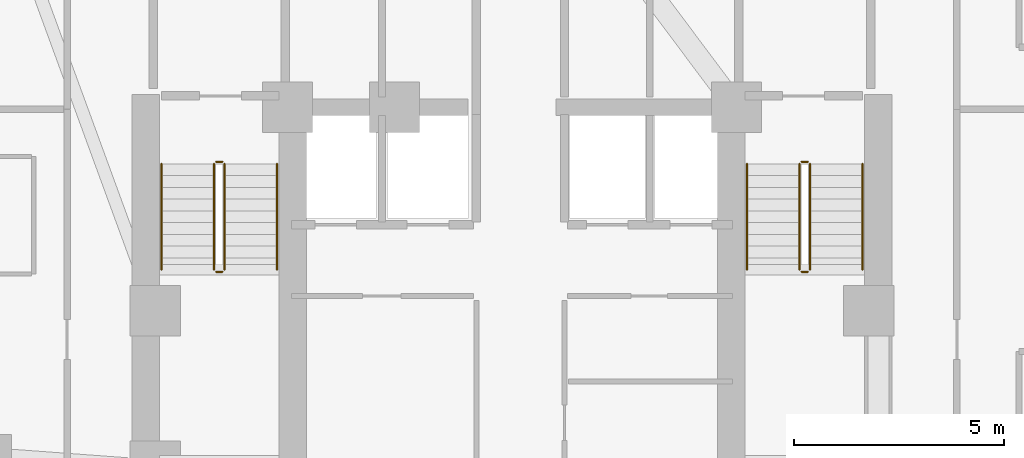
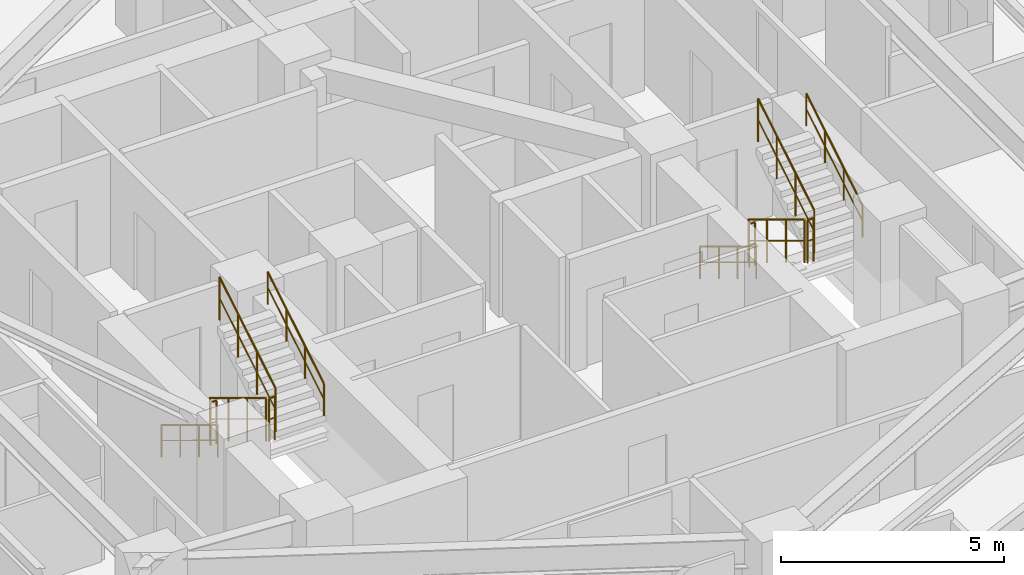
# One storey, part 13 of 13: 12 railings.
"""IFC4 building model written with IfcOpenShell, lengths in metres."""

from ifc_helpers import new_model, si_unit, direction, frame, origin, origin_2d, place, context, subcontext, project, spatial, circle, extrude, material, type_object, element, save


model = new_model("IFC4")

# Units and contexts
model_context = context("Model", 3, precision=1e-05, world=origin(), true_north=direction((0.0, 1.0)))
body_context = subcontext(model_context, "Body", "Model", "MODEL_VIEW")
ifc_project = project(units=[si_unit("LENGTHUNIT", "METRE"), si_unit("AREAUNIT", "SQUARE_METRE"), si_unit("VOLUMEUNIT", "CUBIC_METRE"), si_unit("PLANEANGLEUNIT", "RADIAN"), si_unit("MASSUNIT", "GRAM", prefix="KILO")], contexts=[model_context])

# Site, building, storey
site_placement = place(None, origin())
site = spatial("IfcSite", under=ifc_project, at=site_placement, CompositionType="ELEMENT")
building_placement = place(site_placement, origin())
building = spatial("IfcBuilding", under=site, at=building_placement, Name="Miruveldt Soraemaru", CompositionType="ELEMENT")
storey_placement = place(building_placement, frame((0.0, 0.0, 73.39990234375)))
storey = spatial("IfcBuildingStorey", under=building, at=storey_placement, Name="L20", CompositionType="ELEMENT", Elevation=73.39990234375)

# Railings
ifc_material = material(Name="Steel S355 (355 MPa)", Category="steel")
railing_type_1 = type_object("IfcRailingType", Name="RAIL-HR-900", PredefinedType="HANDRAIL", material=ifc_material)
railing_1_placement = place(storey_placement, frame((35.64990234375, 42.699951171875, 0.170166015625)))
element("IfcRailing", 1, at=railing_1_placement, inside=storey, type_object=railing_type_1, Name="L20 ST-1 stair handrail 1", PredefinedType="HANDRAIL", context=body_context, shape_type="SweptSolid", body=[
    extrude(circle(Radius=0.02392578125, at=origin_2d()), frame((0.0, 0.0, 0.8759765625), z_axis=(0.0, -0.85478489116, 0.518982456201), x_axis=(1.0, 0.0, 0.0)), (0.0, 0.0, 1.0), 2.9482421875),
    extrude(circle(Radius=0.01611328125, at=origin_2d()), frame((0.0, 0.0, 0.449951171875), z_axis=(0.0, -0.85478489116, 0.518982456201), x_axis=(1.0, 0.0, 0.0)), (0.0, 0.0, 1.0), 2.9482421875),
    extrude(circle(Radius=0.02099609375, at=origin_2d()), origin(), (0.0, 0.0, 1.0), 0.851806640625),
    extrude(circle(Radius=0.02099609375, at=origin_2d()), frame((0.0, -0.840087890625, 0.510009765625)), (0.0, 0.0, 1.0), 0.851806640625),
    extrude(circle(Radius=0.02099609375, at=origin_2d()), frame((0.0, -1.679931640625, 1.02001953125)), (0.0, 0.0, 1.0), 0.851806640625),
    extrude(circle(Radius=0.02099609375, at=origin_2d()), frame((0.0, -2.52001953125, 1.530029296875)), (0.0, 0.0, 1.0), 0.851806640625),
])
railing_2_placement = place(storey_placement, frame((38.39990234375, 40.179931640625, 1.8701171875)))
element("IfcRailing", 2, at=railing_2_placement, inside=storey, type_object=railing_type_1, Name="L20 ST-1 stair handrail 2", PredefinedType="HANDRAIL", context=body_context, shape_type="SweptSolid", body=[
    extrude(circle(Radius=0.02392578125, at=origin_2d()), frame((0.0, 0.0, 0.8759765625), z_axis=(0.0, 0.85478489116, 0.518982456201), x_axis=(-1.0, 0.0, 0.0)), (0.0, 0.0, 1.0), 2.9482421875),
    extrude(circle(Radius=0.01611328125, at=origin_2d()), frame((0.0, 0.0, 0.449951171875), z_axis=(0.0, 0.85478489116, 0.518982456201), x_axis=(-1.0, 0.0, 0.0)), (0.0, 0.0, 1.0), 2.9482421875),
    extrude(circle(Radius=0.02099609375, at=origin_2d()), origin(), (0.0, 0.0, 1.0), 0.851806640625),
    extrude(circle(Radius=0.02099609375, at=origin_2d()), frame((0.0, 0.840087890625, 0.510009765625)), (0.0, 0.0, 1.0), 0.851806640625),
    extrude(circle(Radius=0.02099609375, at=origin_2d()), frame((0.0, 1.679931640625, 1.02001953125)), (0.0, 0.0, 1.0), 0.851806640625),
    extrude(circle(Radius=0.02099609375, at=origin_2d()), frame((0.0, 2.52001953125, 1.530029296875)), (0.0, 0.0, 1.0), 0.851806640625),
])
railing_3_placement = place(storey_placement, frame((49.60009765625, 42.699951171875, 0.170166015625)))
element("IfcRailing", 3, at=railing_3_placement, inside=storey, type_object=railing_type_1, Name="L20 ST-2 stair handrail 1", PredefinedType="HANDRAIL", context=body_context, shape_type="SweptSolid", body=[
    extrude(circle(Radius=0.02392578125, at=origin_2d()), frame((0.0, 0.0, 0.8759765625), z_axis=(0.0, -0.85478489116, 0.518982456201), x_axis=(1.0, 0.0, 0.0)), (0.0, 0.0, 1.0), 2.9482421875),
    extrude(circle(Radius=0.01611328125, at=origin_2d()), frame((0.0, 0.0, 0.449951171875), z_axis=(0.0, -0.85478489116, 0.518982456201), x_axis=(1.0, 0.0, 0.0)), (0.0, 0.0, 1.0), 2.9482421875),
    extrude(circle(Radius=0.02099609375, at=origin_2d()), origin(), (0.0, 0.0, 1.0), 0.851806640625),
    extrude(circle(Radius=0.02099609375, at=origin_2d()), frame((0.0, -0.840087890625, 0.510009765625)), (0.0, 0.0, 1.0), 0.851806640625),
    extrude(circle(Radius=0.02099609375, at=origin_2d()), frame((0.0, -1.679931640625, 1.02001953125)), (0.0, 0.0, 1.0), 0.851806640625),
    extrude(circle(Radius=0.02099609375, at=origin_2d()), frame((0.0, -2.52001953125, 1.530029296875)), (0.0, 0.0, 1.0), 0.851806640625),
])
railing_4_placement = place(storey_placement, frame((52.35009765625, 40.179931640625, 1.8701171875)))
element("IfcRailing", 4, at=railing_4_placement, inside=storey, type_object=railing_type_1, Name="L20 ST-2 stair handrail 2", PredefinedType="HANDRAIL", context=body_context, shape_type="SweptSolid", body=[
    extrude(circle(Radius=0.02392578125, at=origin_2d()), frame((0.0, 0.0, 0.8759765625), z_axis=(0.0, 0.85478489116, 0.518982456201), x_axis=(-1.0, 0.0, 0.0)), (0.0, 0.0, 1.0), 2.9482421875),
    extrude(circle(Radius=0.01611328125, at=origin_2d()), frame((0.0, 0.0, 0.449951171875), z_axis=(0.0, 0.85478489116, 0.518982456201), x_axis=(-1.0, 0.0, 0.0)), (0.0, 0.0, 1.0), 2.9482421875),
    extrude(circle(Radius=0.02099609375, at=origin_2d()), origin(), (0.0, 0.0, 1.0), 0.851806640625),
    extrude(circle(Radius=0.02099609375, at=origin_2d()), frame((0.0, 0.840087890625, 0.510009765625)), (0.0, 0.0, 1.0), 0.851806640625),
    extrude(circle(Radius=0.02099609375, at=origin_2d()), frame((0.0, 1.679931640625, 1.02001953125)), (0.0, 0.0, 1.0), 0.851806640625),
    extrude(circle(Radius=0.02099609375, at=origin_2d()), frame((0.0, 2.52001953125, 1.530029296875)), (0.0, 0.0, 1.0), 0.851806640625),
])
railing_type_2 = type_object("IfcRailingType", Name="RAIL-STGUARD-1200", PredefinedType="GUARDRAIL", material=ifc_material)
railing_5_placement = place(storey_placement, frame((36.89990234375, 42.699951171875, 0.170166015625)))
element("IfcRailing", 5, at=railing_5_placement, inside=storey, type_object=railing_type_2, Name="L20 ST-1 stair guard 1", PredefinedType="GUARDRAIL", context=body_context, shape_type="SweptSolid", body=[
    extrude(circle(Radius=0.02392578125, at=origin_2d()), frame((0.0, 0.0, 1.17578125), z_axis=(0.0, -0.85478489116, 0.518982456201), x_axis=(1.0, 0.0, 0.0)), (0.0, 0.0, 1.0), 2.9482421875),
    extrude(circle(Radius=0.01611328125, at=origin_2d()), frame((0.0, 0.0, 0.60009765625), z_axis=(0.0, -0.85478489116, 0.518982456201), x_axis=(1.0, 0.0, 0.0)), (0.0, 0.0, 1.0), 2.9482421875),
    extrude(circle(Radius=0.02099609375, at=origin_2d()), origin(), (0.0, 0.0, 1.0), 1.15185546875),
    extrude(circle(Radius=0.02099609375, at=origin_2d()), frame((0.0, -0.840087890625, 0.510009765625)), (0.0, 0.0, 1.0), 1.15185546875),
    extrude(circle(Radius=0.02099609375, at=origin_2d()), frame((0.0, -1.679931640625, 1.02001953125)), (0.0, 0.0, 1.0), 1.15185546875),
    extrude(circle(Radius=0.02099609375, at=origin_2d()), frame((0.0, -2.52001953125, 1.530029296875)), (0.0, 0.0, 1.0), 1.15185546875),
])
railing_6_placement = place(storey_placement, frame((36.949951171875, 40.1298828125, 1.7001953125)))
element("IfcRailing", 6, at=railing_6_placement, inside=storey, type_object=railing_type_2, Name="L20 ST-1 stair guard 2", PredefinedType="GUARDRAIL", context=body_context, shape_type="SweptSolid", body=[
    extrude(circle(Radius=0.02392578125, at=origin_2d()), frame((0.0, 0.0, 1.17578125), z_axis=(1.0, 0.0, 0.0), x_axis=(0.0, 1.0, 0.0)), (0.0, 0.0, 1.0), 0.150146484375),
    extrude(circle(Radius=0.01611328125, at=origin_2d()), frame((0.0, 0.0, 0.60009765625), z_axis=(1.0, 0.0, 0.0), x_axis=(0.0, 1.0, 0.0)), (0.0, 0.0, 1.0), 0.150146484375),
    extrude(circle(Radius=0.02099609375, at=origin_2d()), origin(), (0.0, 0.0, 1.0), 1.15185546875),
    extrude(circle(Radius=0.02099609375, at=origin_2d()), frame((0.150146484375, 0.0, 0.0)), (0.0, 0.0, 1.0), 1.15185546875),
])
railing_7_placement = place(storey_placement, frame((37.14990234375, 40.179931640625, 1.8701171875)))
element("IfcRailing", 7, at=railing_7_placement, inside=storey, type_object=railing_type_2, Name="L20 ST-1 stair guard 3", PredefinedType="GUARDRAIL", context=body_context, shape_type="SweptSolid", body=[
    extrude(circle(Radius=0.02392578125, at=origin_2d()), frame((0.0, 0.0, 1.17578125), z_axis=(0.0, 0.85478489116, 0.518982456201), x_axis=(-1.0, 0.0, 0.0)), (0.0, 0.0, 1.0), 2.9482421875),
    extrude(circle(Radius=0.01611328125, at=origin_2d()), frame((0.0, 0.0, 0.60009765625), z_axis=(0.0, 0.85478489116, 0.518982456201), x_axis=(-1.0, 0.0, 0.0)), (0.0, 0.0, 1.0), 2.9482421875),
    extrude(circle(Radius=0.02099609375, at=origin_2d()), origin(), (0.0, 0.0, 1.0), 1.15185546875),
    extrude(circle(Radius=0.02099609375, at=origin_2d()), frame((0.0, 0.840087890625, 0.510009765625)), (0.0, 0.0, 1.0), 1.15185546875),
    extrude(circle(Radius=0.02099609375, at=origin_2d()), frame((0.0, 1.679931640625, 1.02001953125)), (0.0, 0.0, 1.0), 1.15185546875),
    extrude(circle(Radius=0.02099609375, at=origin_2d()), frame((0.0, 2.52001953125, 1.530029296875)), (0.0, 0.0, 1.0), 1.15185546875),
])
railing_8_placement = place(storey_placement, frame((36.949951171875, 42.75, 0.0)))
element("IfcRailing", 8, at=railing_8_placement, inside=storey, type_object=railing_type_2, Name="L20 ST-1 stair guard 4", PredefinedType="GUARDRAIL", context=body_context, shape_type="SweptSolid", body=[
    extrude(circle(Radius=0.02392578125, at=origin_2d()), frame((0.0, 0.0, 1.17578125), z_axis=(1.0, 0.0, 0.0), x_axis=(0.0, 1.0, 0.0)), (0.0, 0.0, 1.0), 0.150146484375),
    extrude(circle(Radius=0.01611328125, at=origin_2d()), frame((0.0, 0.0, 0.60009765625), z_axis=(1.0, 0.0, 0.0), x_axis=(0.0, 1.0, 0.0)), (0.0, 0.0, 1.0), 0.150146484375),
    extrude(circle(Radius=0.02099609375, at=origin_2d()), origin(), (0.0, 0.0, 1.0), 1.15185546875),
    extrude(circle(Radius=0.02099609375, at=origin_2d()), frame((0.150146484375, 0.0, 0.0)), (0.0, 0.0, 1.0), 1.15185546875),
])
railing_9_placement = place(storey_placement, frame((50.85009765625, 42.699951171875, 0.170166015625)))
element("IfcRailing", 9, at=railing_9_placement, inside=storey, type_object=railing_type_2, Name="L20 ST-2 stair guard 1", PredefinedType="GUARDRAIL", context=body_context, shape_type="SweptSolid", body=[
    extrude(circle(Radius=0.02392578125, at=origin_2d()), frame((0.0, 0.0, 1.17578125), z_axis=(0.0, -0.85478489116, 0.518982456201), x_axis=(1.0, 0.0, 0.0)), (0.0, 0.0, 1.0), 2.9482421875),
    extrude(circle(Radius=0.01611328125, at=origin_2d()), frame((0.0, 0.0, 0.60009765625), z_axis=(0.0, -0.85478489116, 0.518982456201), x_axis=(1.0, 0.0, 0.0)), (0.0, 0.0, 1.0), 2.9482421875),
    extrude(circle(Radius=0.02099609375, at=origin_2d()), origin(), (0.0, 0.0, 1.0), 1.15185546875),
    extrude(circle(Radius=0.02099609375, at=origin_2d()), frame((0.0, -0.840087890625, 0.510009765625)), (0.0, 0.0, 1.0), 1.15185546875),
    extrude(circle(Radius=0.02099609375, at=origin_2d()), frame((0.0, -1.679931640625, 1.02001953125)), (0.0, 0.0, 1.0), 1.15185546875),
    extrude(circle(Radius=0.02099609375, at=origin_2d()), frame((0.0, -2.52001953125, 1.530029296875)), (0.0, 0.0, 1.0), 1.15185546875),
])
railing_10_placement = place(storey_placement, frame((50.89990234375, 40.1298828125, 1.7001953125)))
element("IfcRailing", 10, at=railing_10_placement, inside=storey, type_object=railing_type_2, Name="L20 ST-2 stair guard 2", PredefinedType="GUARDRAIL", context=body_context, shape_type="SweptSolid", body=[
    extrude(circle(Radius=0.02392578125, at=origin_2d()), frame((0.0, 0.0, 1.17578125), z_axis=(1.0, 0.0, 0.0), x_axis=(0.0, 1.0, 0.0)), (0.0, 0.0, 1.0), 0.150146484375),
    extrude(circle(Radius=0.01611328125, at=origin_2d()), frame((0.0, 0.0, 0.60009765625), z_axis=(1.0, 0.0, 0.0), x_axis=(0.0, 1.0, 0.0)), (0.0, 0.0, 1.0), 0.150146484375),
    extrude(circle(Radius=0.02099609375, at=origin_2d()), origin(), (0.0, 0.0, 1.0), 1.15185546875),
    extrude(circle(Radius=0.02099609375, at=origin_2d()), frame((0.150146484375, 0.0, 0.0)), (0.0, 0.0, 1.0), 1.15185546875),
])
railing_11_placement = place(storey_placement, frame((51.10009765625, 40.179931640625, 1.8701171875)))
element("IfcRailing", 11, at=railing_11_placement, inside=storey, type_object=railing_type_2, Name="L20 ST-2 stair guard 3", PredefinedType="GUARDRAIL", context=body_context, shape_type="SweptSolid", body=[
    extrude(circle(Radius=0.02392578125, at=origin_2d()), frame((0.0, 0.0, 1.17578125), z_axis=(0.0, 0.85478489116, 0.518982456201), x_axis=(-1.0, 0.0, 0.0)), (0.0, 0.0, 1.0), 2.9482421875),
    extrude(circle(Radius=0.01611328125, at=origin_2d()), frame((0.0, 0.0, 0.60009765625), z_axis=(0.0, 0.85478489116, 0.518982456201), x_axis=(-1.0, 0.0, 0.0)), (0.0, 0.0, 1.0), 2.9482421875),
    extrude(circle(Radius=0.02099609375, at=origin_2d()), origin(), (0.0, 0.0, 1.0), 1.15185546875),
    extrude(circle(Radius=0.02099609375, at=origin_2d()), frame((0.0, 0.840087890625, 0.510009765625)), (0.0, 0.0, 1.0), 1.15185546875),
    extrude(circle(Radius=0.02099609375, at=origin_2d()), frame((0.0, 1.679931640625, 1.02001953125)), (0.0, 0.0, 1.0), 1.15185546875),
    extrude(circle(Radius=0.02099609375, at=origin_2d()), frame((0.0, 2.52001953125, 1.530029296875)), (0.0, 0.0, 1.0), 1.15185546875),
])
railing_12_placement = place(storey_placement, frame((50.89990234375, 42.75, 0.0)))
element("IfcRailing", 12, at=railing_12_placement, inside=storey, type_object=railing_type_2, Name="L20 ST-2 stair guard 4", PredefinedType="GUARDRAIL", context=body_context, shape_type="SweptSolid", body=[
    extrude(circle(Radius=0.02392578125, at=origin_2d()), frame((0.0, 0.0, 1.17578125), z_axis=(1.0, 0.0, 0.0), x_axis=(0.0, 1.0, 0.0)), (0.0, 0.0, 1.0), 0.150146484375),
    extrude(circle(Radius=0.01611328125, at=origin_2d()), frame((0.0, 0.0, 0.60009765625), z_axis=(1.0, 0.0, 0.0), x_axis=(0.0, 1.0, 0.0)), (0.0, 0.0, 1.0), 0.150146484375),
    extrude(circle(Radius=0.02099609375, at=origin_2d()), origin(), (0.0, 0.0, 1.0), 1.15185546875),
    extrude(circle(Radius=0.02099609375, at=origin_2d()), frame((0.150146484375, 0.0, 0.0)), (0.0, 0.0, 1.0), 1.15185546875),
])

save(model, "model.ifc")
